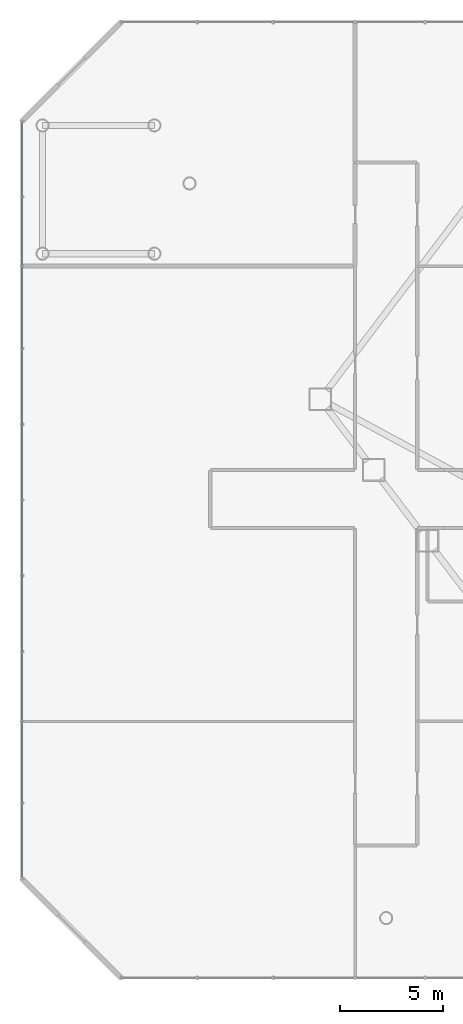
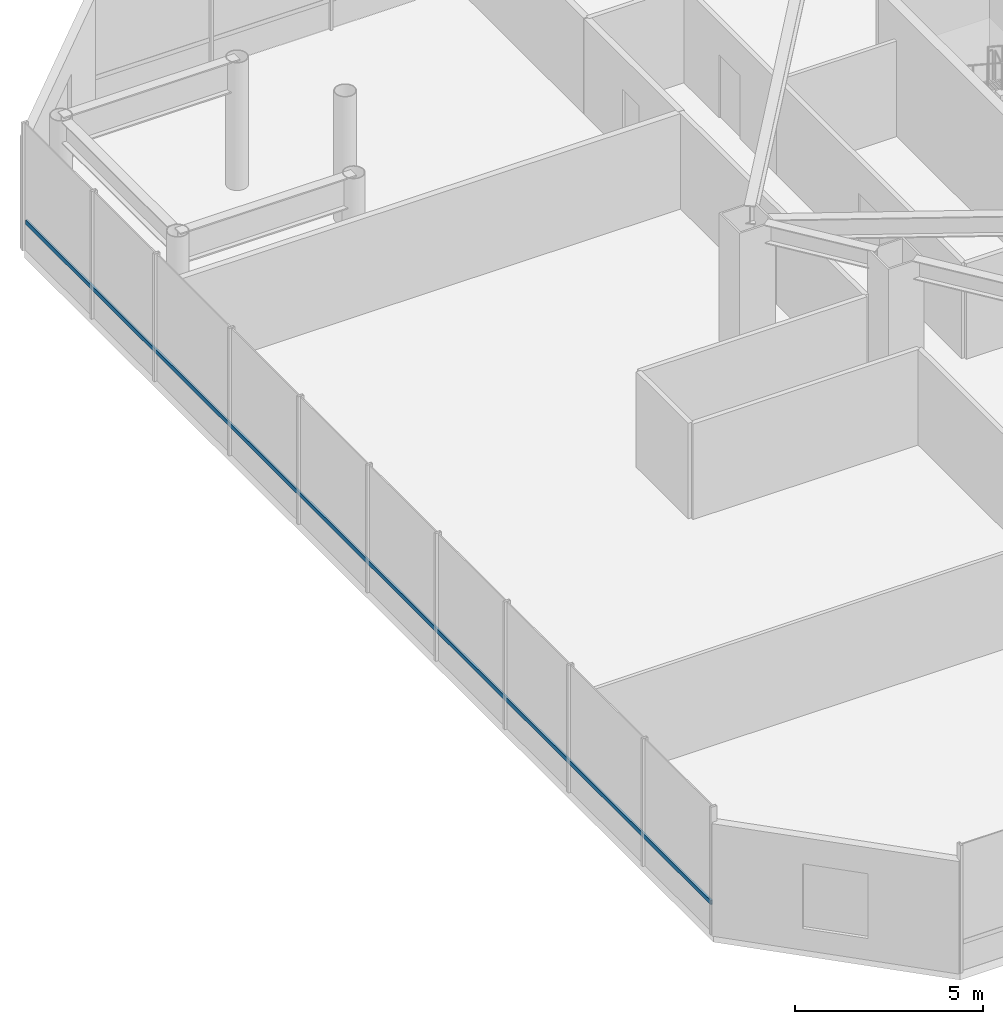
# One storey, part 8 of 37: 1 member, 1 element without a shape of its own.
"""IFC4 building model written with IfcOpenShell, lengths in metres."""

from ifc_helpers import new_model, si_unit, direction, frame, origin, origin_2d, place, context, subcontext, project, spatial, hollow_rectangle, extrude, material, layer, layer_set, material_profile, profile_set, type_object, element, aggregate, save


model = new_model("IFC4")

# Units and contexts
model_context = context("Model", 3, precision=1e-05, world=origin(), true_north=direction((0.0, 1.0)))
body_context = subcontext(model_context, "Body", "Model", "MODEL_VIEW")
ifc_project = project(units=[si_unit("LENGTHUNIT", "METRE"), si_unit("AREAUNIT", "SQUARE_METRE"), si_unit("VOLUMEUNIT", "CUBIC_METRE"), si_unit("PLANEANGLEUNIT", "RADIAN"), si_unit("MASSUNIT", "GRAM", prefix="KILO")], contexts=[model_context])

# Site, building, storey
site_placement = place(None, origin())
site = spatial("IfcSite", under=ifc_project, at=site_placement, CompositionType="ELEMENT")
building_placement = place(site_placement, origin())
building = spatial("IfcBuilding", under=site, at=building_placement, Name="Zarrinselat Tower", CompositionType="ELEMENT")
storey_placement = place(building_placement, frame((0.0, 0.0, 9.52001953125)))
storey = spatial("IfcBuildingStorey", under=building, at=storey_placement, Name="L02", CompositionType="ELEMENT", Elevation=9.52001953125)

# Curtain wall, member
ifc_material_1 = material(Name="Extruded Aluminium Alloy EN AW-6063 T6", Category="aluminium")
ifc_layer = layer(ifc_material_1, 0.2099609375)
ifc_layer_set = layer_set([ifc_layer], Name="Extruded Aluminium Alloy EN AW-6063 T6")
curtain_wall_type = type_object("IfcCurtainWallType", Name="CWS-POD", PredefinedType="NOTDEFINED", material=ifc_layer_set)
curtain_wall_placement = place(storey_placement, origin())
curtain_wall = element("IfcCurtainWall", 1, at=curtain_wall_placement, inside=storey, type_object=curtain_wall_type, Name="L02 Unitised Curtain Wall CW-L02-F7", PredefinedType="NOTDEFINED")
ifc_material_2 = material(Name="Extruded Aluminium Alloy EN AW-6063 T6", Category="aluminium")
ifc_material_profile = material_profile(ifc_material_2, hollow_rectangle(XDim=0.06005859375, YDim=0.139892578125, WallThickness=0.00390625, at=origin_2d()), Name="RHS 140x60x4")
ifc_profile_set = profile_set([ifc_material_profile], Name="Extruded Aluminium Alloy EN AW-6063 T6")
member_type = type_object("IfcMemberType", Name="MEM-CW-TRN", PredefinedType="USERDEFINED", material=ifc_profile_set)
member_placement = place(storey_placement, frame((2.39990234375, 46.909912109375, 0.949951171875), z_axis=(0.0, -1.0, 0.0), x_axis=(1.0, 0.0, 0.0)))
member = element("IfcMember", 2, at=member_placement, type_object=member_type, Name="CW-L02-F7 Transom 1", ObjectType="TRANSOM", PredefinedType="USERDEFINED", context=body_context, shape_type="SweptSolid", body=[
    extrude(hollow_rectangle(XDim=0.06005859375, YDim=0.139892578125, WallThickness=0.00390625, at=origin_2d()), origin(), (0.0, 0.0, 1.0), 36.419921875),
])
aggregate(curtain_wall, [member])

save(model, "model.ifc")
